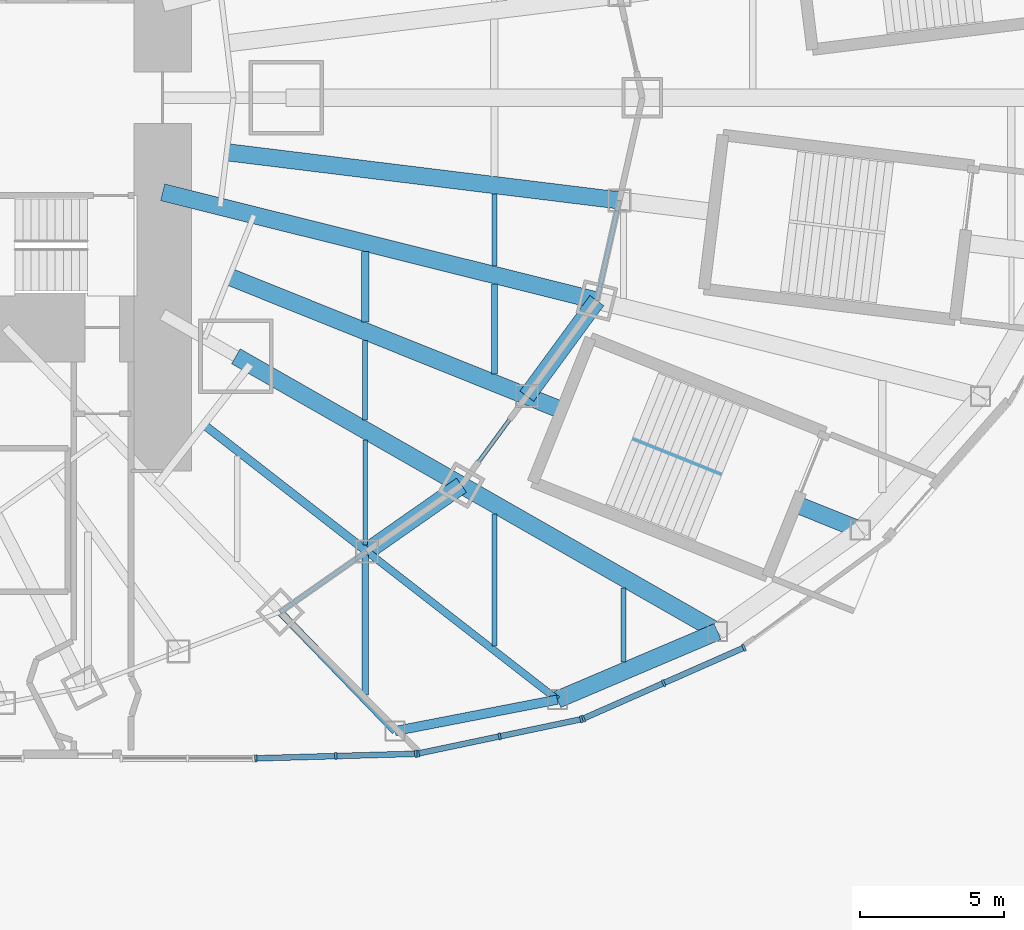
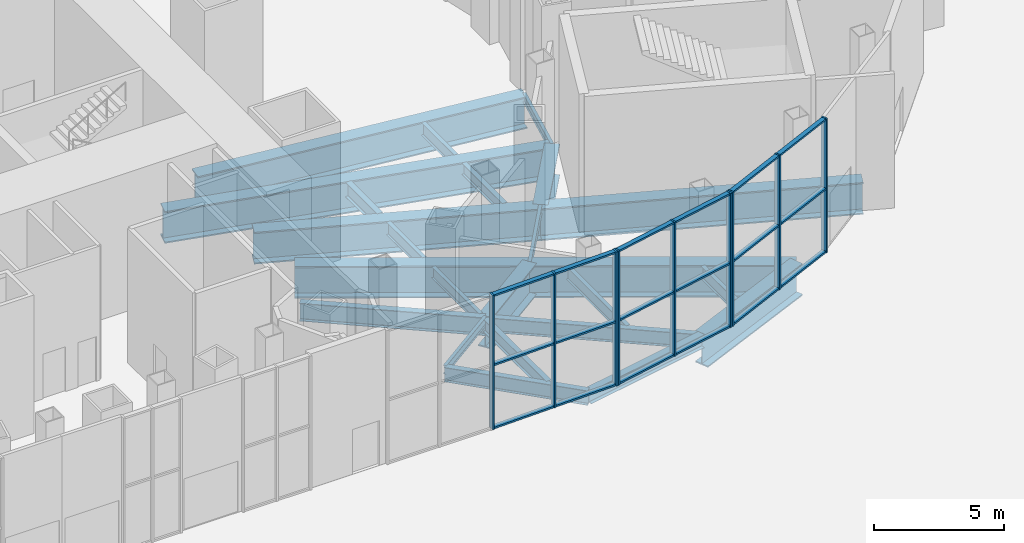
# One storey, part 8 of 47: 27 members, 24 beams, 3 elements without a shape of their own.
"""IFC4 building model written with IfcOpenShell, lengths in metres."""

from ifc_helpers import new_model, si_unit, direction, frame, origin, origin_2d, place, context, subcontext, project, spatial, rectangle, i_section, extrude, material, material_profile, profile_set, type_object, element, aggregate, save


model = new_model("IFC4")

# Units and contexts
model_context = context("Model", 3, precision=1e-05, world=origin(), true_north=direction((0.0, 1.0)))
body_context = subcontext(model_context, "Body", "Model", "MODEL_VIEW")
ifc_project = project(units=[si_unit("LENGTHUNIT", "METRE"), si_unit("AREAUNIT", "SQUARE_METRE"), si_unit("VOLUMEUNIT", "CUBIC_METRE"), si_unit("PLANEANGLEUNIT", "RADIAN"), si_unit("MASSUNIT", "GRAM", prefix="KILO")], contexts=[model_context])

# Site, building, storey
site_placement = place(None, origin())
site = spatial("IfcSite", under=ifc_project, at=site_placement, CompositionType="ELEMENT")
building_placement = place(site_placement, origin())
building = spatial("IfcBuilding", under=site, at=building_placement, Name="Lantaw Convention Tower", CompositionType="ELEMENT")
storey_placement = place(building_placement, origin())
storey = spatial("IfcBuildingStorey", under=building, at=storey_placement, Name="L00", CompositionType="ELEMENT", Elevation=0.0)

# Beams
ifc_material_1 = material(Name="Steel ASTM A572 Grade 50", Category="steel")
ifc_material_profile_1 = material_profile(ifc_material_1, i_section(OverallWidth=0.60009765625, OverallDepth=1.5, WebThickness=0.02490234375, FlangeThickness=0.06005859375, at=origin_2d()), Name="PG1500X600X25X60")
ifc_profile_set_1 = profile_set([ifc_material_profile_1], Name="Steel ASTM A572 Grade 50")
beam_type_1 = type_object("IfcBeamType", Name="Beam E PG1500X600X25X60", PredefinedType="SPANDREL", material=ifc_profile_set_1)
beam_1_placement = place(storey_placement, frame((20.308837890625, -15.794189453125, -1.199951171875), z_axis=(0.81942291701, 0.57318939547, 0.0), x_axis=(-0.57318939547, 0.81942291701, 0.0)))
element("IfcBeam", 1, at=beam_1_placement, inside=storey, type_object=beam_type_1, Name="Edge beam 22", PredefinedType="SPANDREL", context=body_context, shape_type="SweptSolid", body=[
    extrude(i_section(OverallWidth=0.60009765625, OverallDepth=1.5, WebThickness=0.02490234375, FlangeThickness=0.06005859375, at=origin_2d()), origin(), (0.0, 0.0, 1.0), 4.0224609375),
])
beam_2_placement = place(storey_placement, frame((25.8779296875, -10.388427734375, -1.199951171875), z_axis=(0.591255937291, 0.806483984105, 0.0), x_axis=(-0.806483984105, 0.591255937291, 0.0)))
element("IfcBeam", 2, at=beam_2_placement, inside=storey, type_object=beam_type_1, Name="Edge beam 23", PredefinedType="SPANDREL", context=body_context, shape_type="SweptSolid", body=[
    extrude(i_section(OverallWidth=0.60009765625, OverallDepth=1.5, WebThickness=0.02490234375, FlangeThickness=0.06005859375, at=origin_2d()), origin(), (0.0, 0.0, 1.0), 4.126708984375),
])
beam_3_placement = place(storey_placement, frame((26.94287109375, -20.95361328125, -1.199951171875), z_axis=(0.920324392734, 0.391155994636, 0.0), x_axis=(-0.391155994636, 0.920324392734, 0.0)))
element("IfcBeam", 3, at=beam_3_placement, inside=storey, type_object=beam_type_1, Name="Podium edge beam B21", PredefinedType="SPANDREL", context=body_context, shape_type="SweptSolid", body=[
    extrude(i_section(OverallWidth=0.60009765625, OverallDepth=1.5, WebThickness=0.02490234375, FlangeThickness=0.06005859375, at=origin_2d()), origin(), (0.0, 0.0, 1.0), 6.060546875),
])
ifc_material_2 = material(Name="Steel ASTM A992", Category="steel")
ifc_material_profile_2 = material_profile(ifc_material_2, i_section(OverallWidth=0.140380859375, OverallDepth=0.40380859375, WebThickness=0.007080078125, FlangeThickness=0.01123046875, FilletRadius=0.01025390625, at=origin_2d()), Name="W16X31")
ifc_profile_set_2 = profile_set([ifc_material_profile_2], Name="Steel ASTM A992")
beam_type_2 = type_object("IfcBeamType", Name="Beam E W16X31", PredefinedType="SPANDREL", material=ifc_profile_set_2)
beam_4_placement = place(storey_placement, frame((17.290771484375, -17.9052734375, -0.65185546875), z_axis=(0.819431174801, 0.573177590075, 0.0), x_axis=(-0.573177590075, 0.819431174801, 0.0)))
element("IfcBeam", 4, at=beam_4_placement, inside=storey, type_object=beam_type_2, Name="Edge beam 22", PredefinedType="SPANDREL", context=body_context, shape_type="SweptSolid", body=[
    extrude(i_section(OverallWidth=0.140380859375, OverallDepth=0.40380859375, WebThickness=0.007080078125, FlangeThickness=0.01123046875, FilletRadius=0.01025390625, at=origin_2d()), origin(), (0.0, 0.0, 1.0), 3.68310546875),
])
beam_5_placement = place(storey_placement, frame((23.60498046875, -13.488525390625, -0.65185546875), z_axis=(0.591286566758, 0.806461527893, 0.0), x_axis=(-0.806461527893, 0.591286566758, 0.0)))
element("IfcBeam", 5, at=beam_5_placement, inside=storey, type_object=beam_type_2, Name="Edge beam 23", PredefinedType="SPANDREL", context=body_context, shape_type="SweptSolid", body=[
    extrude(i_section(OverallWidth=0.140380859375, OverallDepth=0.40380859375, WebThickness=0.007080078125, FlangeThickness=0.01123046875, FilletRadius=0.01025390625, at=origin_2d()), origin(), (0.0, 0.0, 1.0), 3.843994140625),
])
beam_6_placement = place(storey_placement, frame((28.31787109375, -7.060302734375, -0.65185546875), z_axis=(0.218673326171, 0.97579812278, 0.0), x_axis=(-0.97579812278, 0.218673326171, 0.0)))
element("IfcBeam", 6, at=beam_6_placement, inside=storey, type_object=beam_type_2, Name="Edge beam 24", PredefinedType="SPANDREL", context=body_context, shape_type="SweptSolid", body=[
    extrude(i_section(OverallWidth=0.140380859375, OverallDepth=0.40380859375, WebThickness=0.007080078125, FlangeThickness=0.01123046875, FilletRadius=0.01025390625, at=origin_2d()), origin(), (0.0, 0.0, 1.0), 3.57373046875),
])
ifc_material_profile_3 = material_profile(ifc_material_2, i_section(OverallWidth=0.3251953125, OverallDepth=0.612060546875, WebThickness=0.0126953125, FlangeThickness=0.01904296875, FilletRadius=0.0126953125, at=origin_2d()), Name="W24X104")
ifc_profile_set_3 = profile_set([ifc_material_profile_3], Name="Steel ASTM A992")
beam_type_3 = type_object("IfcBeamType", Name="Beam E W24X104", PredefinedType="SPANDREL", material=ifc_profile_set_3)
beam_7_placement = place(storey_placement, frame((21.290771484375, -22.04736328125, -0.756103515625), z_axis=(0.981786485539, 0.18998762279, 0.0), x_axis=(-0.18998762279, 0.981786485539, 0.0)))
element("IfcBeam", 7, at=beam_7_placement, inside=storey, type_object=beam_type_3, Name="Podium edge beam R21", PredefinedType="SPANDREL", context=body_context, shape_type="SweptSolid", body=[
    extrude(i_section(OverallWidth=0.3251953125, OverallDepth=0.612060546875, WebThickness=0.0126953125, FlangeThickness=0.01904296875, FilletRadius=0.0126953125, at=origin_2d()), origin(), (0.0, 0.0, 1.0), 5.7568359375),
])
ifc_material_profile_4 = material_profile(ifc_material_1, i_section(OverallWidth=0.60009765625, OverallDepth=1.5, WebThickness=0.02490234375, FlangeThickness=0.06005859375, at=origin_2d()), Name="PG1500X600X25X60")
ifc_profile_set_4 = profile_set([ifc_material_profile_4], Name="Steel ASTM A572 Grade 50")
beam_type_4 = type_object("IfcBeamType", Name="Beam G PG1500X600X25X60", PredefinedType="BEAM", material=ifc_profile_set_4)
beam_8_placement = place(storey_placement, frame((15.75, -9.0, -1.199951171875), z_axis=(0.868244802791, -0.496136032179, 0.0), x_axis=(0.496136032179, 0.868244802791, 0.0)))
element("IfcBeam", 8, at=beam_8_placement, inside=storey, type_object=beam_type_4, Name="Floor girder on ray 23", PredefinedType="BEAM", context=body_context, shape_type="SweptSolid", body=[
    extrude(i_section(OverallWidth=0.60009765625, OverallDepth=1.5, WebThickness=0.02490234375, FlangeThickness=0.06005859375, at=origin_2d()), origin(), (0.0, 0.0, 1.0), 9.046875),
])
beam_9_placement = place(storey_placement, frame((15.52001953125, -6.230224609375, -1.199951171875), z_axis=(0.928011337871, -0.37255195179, 0.0), x_axis=(0.37255195179, 0.928011337871, 0.0)))
element("IfcBeam", 9, at=beam_9_placement, inside=storey, type_object=beam_type_4, Name="Floor girder on bisector 23", PredefinedType="BEAM", context=body_context, shape_type="SweptSolid", body=[
    extrude(i_section(OverallWidth=0.60009765625, OverallDepth=1.5, WebThickness=0.02490234375, FlangeThickness=0.06005859375, at=origin_2d()), origin(), (0.0, 0.0, 1.0), 11.161376953125),
])
beam_10_placement = place(storey_placement, frame((13.199951171875, -3.291015625, -1.199951171875), z_axis=(0.970296233567, -0.241919860957, 0.0), x_axis=(0.241919860957, 0.970296233567, 0.0)))
element("IfcBeam", 10, at=beam_10_placement, inside=storey, type_object=beam_type_4, Name="Floor girder on ray 24", PredefinedType="BEAM", context=body_context, shape_type="SweptSolid", body=[
    extrude(i_section(OverallWidth=0.60009765625, OverallDepth=1.5, WebThickness=0.02490234375, FlangeThickness=0.06005859375, at=origin_2d()), origin(), (0.0, 0.0, 1.0), 15.580810546875),
])
beam_11_placement = place(storey_placement, frame((15.433349609375, -1.89501953125, -1.199951171875), z_axis=(0.99254612715, -0.121869542874, 0.0), x_axis=(0.121869542874, 0.99254612715, 0.0)))
element("IfcBeam", 11, at=beam_11_placement, inside=storey, type_object=beam_type_4, Name="Floor girder on bisector 24", PredefinedType="BEAM", context=body_context, shape_type="SweptSolid", body=[
    extrude(i_section(OverallWidth=0.60009765625, OverallDepth=1.5, WebThickness=0.02490234375, FlangeThickness=0.06005859375, at=origin_2d()), origin(), (0.0, 0.0, 1.0), 13.7685546875),
])
ifc_material_profile_5 = material_profile(ifc_material_2, i_section(OverallWidth=0.2919921875, OverallDepth=0.845703125, WebThickness=0.015380859375, FlangeThickness=0.0244140625, FilletRadius=0.01513671875, at=origin_2d()), Name="W33X141")
ifc_profile_set_5 = profile_set([ifc_material_profile_5], Name="Steel ASTM A992")
beam_type_5 = type_object("IfcBeamType", Name="Beam G W33X141", PredefinedType="BEAM", material=ifc_profile_set_5)
beam_12_placement = place(storey_placement, frame((14.628173828125, -11.37646484375, -0.872802734375), z_axis=(0.789390578332, -0.613891289106, 0.0), x_axis=(0.613891289106, 0.789390578332, 0.0)))
element("IfcBeam", 12, at=beam_12_placement, inside=storey, type_object=beam_type_5, Name="Floor girder on bisector 22", PredefinedType="BEAM", context=body_context, shape_type="SweptSolid", body=[
    extrude(i_section(OverallWidth=0.2919921875, OverallDepth=0.845703125, WebThickness=0.015380859375, FlangeThickness=0.0244140625, FilletRadius=0.01513671875, at=origin_2d()), origin(), (0.0, 0.0, 1.0), 7.1962890625),
])
ifc_material_profile_6 = material_profile(ifc_material_2, i_section(OverallWidth=0.1650390625, OverallDepth=0.52587890625, WebThickness=0.0087890625, FlangeThickness=0.011474609375, FilletRadius=0.0126953125, at=origin_2d()), Name="W21X44")
ifc_profile_set_6 = profile_set([ifc_material_profile_6], Name="Steel ASTM A992")
beam_type_6 = type_object("IfcBeamType", Name="Beam J W21X44", PredefinedType="JOIST", material=ifc_profile_set_6)
beam_13_placement = place(storey_placement, frame((20.25, -15.5634765625, -0.712890625), z_axis=(0.0, 1.0, 0.0), x_axis=(-1.0, 0.0, 0.0)))
element("IfcBeam", 13, at=beam_13_placement, inside=storey, type_object=beam_type_6, Name="Floor joist", PredefinedType="JOIST", context=body_context, shape_type="SweptSolid", body=[
    extrude(i_section(OverallWidth=0.1650390625, OverallDepth=0.52587890625, WebThickness=0.0087890625, FlangeThickness=0.011474609375, FilletRadius=0.0126953125, at=origin_2d()), origin(), (0.0, 0.0, 1.0), 3.646484375),
])
ifc_material_profile_7 = material_profile(ifc_material_2, i_section(OverallWidth=0.2099609375, OverallDepth=0.535888671875, WebThickness=0.010986328125, FlangeThickness=0.017333984375, FilletRadius=0.012939453125, at=origin_2d()), Name="W21X68")
ifc_profile_set_7 = profile_set([ifc_material_profile_7], Name="Steel ASTM A992")
beam_type_7 = type_object("IfcBeamType", Name="Beam J W21X68", PredefinedType="JOIST", material=ifc_profile_set_7)
beam_14_placement = place(storey_placement, frame((24.75, -9.6123046875, -0.718017578125), z_axis=(0.0, 1.0, 0.0), x_axis=(-1.0, 0.0, 0.0)))
element("IfcBeam", 14, at=beam_14_placement, inside=storey, type_object=beam_type_7, Name="Floor joist", PredefinedType="JOIST", context=body_context, shape_type="SweptSolid", body=[
    extrude(i_section(OverallWidth=0.2099609375, OverallDepth=0.535888671875, WebThickness=0.010986328125, FlangeThickness=0.017333984375, FilletRadius=0.012939453125, at=origin_2d()), origin(), (0.0, 0.0, 1.0), 3.13232421875),
])
ifc_material_profile_8 = material_profile(ifc_material_2, i_section(OverallWidth=0.177978515625, OverallDepth=0.599365234375, WebThickness=0.010009765625, FlangeThickness=0.012939453125, FilletRadius=0.012939453125, at=origin_2d()), Name="W24X55")
ifc_profile_set_8 = profile_set([ifc_material_profile_8], Name="Steel ASTM A992")
beam_type_8 = type_object("IfcBeamType", Name="Beam J W24X55", PredefinedType="JOIST", material=ifc_profile_set_8)
beam_15_placement = place(storey_placement, frame((20.25, -11.225830078125, -0.749755859375), z_axis=(0.0, 1.0, 0.0), x_axis=(-1.0, 0.0, 0.0)))
element("IfcBeam", 15, at=beam_15_placement, inside=storey, type_object=beam_type_8, Name="Floor joist", PredefinedType="JOIST", context=body_context, shape_type="SweptSolid", body=[
    extrude(i_section(OverallWidth=0.177978515625, OverallDepth=0.599365234375, WebThickness=0.010009765625, FlangeThickness=0.012939453125, FilletRadius=0.012939453125, at=origin_2d()), origin(), (0.0, 0.0, 1.0), 2.7734375),
])
beam_16_placement = place(storey_placement, frame((24.75, -19.08740234375, -0.749755859375), z_axis=(0.0, 1.0, 0.0), x_axis=(-1.0, 0.0, 0.0)))
element("IfcBeam", 16, at=beam_16_placement, inside=storey, type_object=beam_type_8, Name="Floor joist", PredefinedType="JOIST", context=body_context, shape_type="SweptSolid", body=[
    extrude(i_section(OverallWidth=0.177978515625, OverallDepth=0.599365234375, WebThickness=0.010009765625, FlangeThickness=0.012939453125, FilletRadius=0.012939453125, at=origin_2d()), origin(), (0.0, 0.0, 1.0), 4.59912109375),
])
beam_17_placement = place(storey_placement, frame((24.75, -5.861572265625, -0.749755859375), z_axis=(0.0, 1.0, 0.0), x_axis=(-1.0, 0.0, 0.0)))
element("IfcBeam", 17, at=beam_17_placement, inside=storey, type_object=beam_type_8, Name="Floor joist", PredefinedType="JOIST", context=body_context, shape_type="SweptSolid", body=[
    extrude(i_section(OverallWidth=0.177978515625, OverallDepth=0.599365234375, WebThickness=0.010009765625, FlangeThickness=0.012939453125, FilletRadius=0.012939453125, at=origin_2d()), origin(), (0.0, 0.0, 1.0), 2.5205078125),
])
beam_18_placement = place(storey_placement, frame((29.25, -19.647216796875, -0.749755859375), z_axis=(0.0, 1.0, 0.0), x_axis=(-1.0, 0.0, 0.0)))
element("IfcBeam", 18, at=beam_18_placement, inside=storey, type_object=beam_type_8, Name="Floor joist", PredefinedType="JOIST", context=body_context, shape_type="SweptSolid", body=[
    extrude(i_section(OverallWidth=0.177978515625, OverallDepth=0.599365234375, WebThickness=0.010009765625, FlangeThickness=0.012939453125, FilletRadius=0.012939453125, at=origin_2d()), origin(), (0.0, 0.0, 1.0), 2.58740234375),
])
ifc_material_profile_9 = material_profile(ifc_material_2, i_section(OverallWidth=0.22900390625, OverallDepth=0.612060546875, WebThickness=0.011962890625, FlangeThickness=0.01953125, FilletRadius=0.0126953125, at=origin_2d()), Name="W24X84")
ifc_profile_set_9 = profile_set([ifc_material_profile_9], Name="Steel ASTM A992")
beam_type_9 = type_object("IfcBeamType", Name="Beam J W24X84", PredefinedType="JOIST", material=ifc_profile_set_9)
beam_19_placement = place(storey_placement, frame((20.25, -20.78662109375, -0.756103515625), z_axis=(0.0, 1.0, 0.0), x_axis=(-1.0, 0.0, 0.0)))
element("IfcBeam", 19, at=beam_19_placement, inside=storey, type_object=beam_type_9, Name="Floor joist", PredefinedType="JOIST", context=body_context, shape_type="SweptSolid", body=[
    extrude(i_section(OverallWidth=0.22900390625, OverallDepth=0.612060546875, WebThickness=0.011962890625, FlangeThickness=0.01953125, FilletRadius=0.0126953125, at=origin_2d()), origin(), (0.0, 0.0, 1.0), 4.86572265625),
])
ifc_material_profile_10 = material_profile(ifc_material_2, i_section(OverallWidth=0.25390625, OverallDepth=0.683349609375, WebThickness=0.012451171875, FlangeThickness=0.01904296875, FilletRadius=0.01513671875, at=origin_2d()), Name="W27X94")
ifc_profile_set_10 = profile_set([ifc_material_profile_10], Name="Steel ASTM A992")
beam_type_10 = type_object("IfcBeamType", Name="Beam J W27X94", PredefinedType="JOIST", material=ifc_profile_set_10)
beam_20_placement = place(storey_placement, frame((20.25, -7.805908203125, -0.791748046875), z_axis=(0.0, 1.0, 0.0), x_axis=(-1.0, 0.0, 0.0)))
element("IfcBeam", 20, at=beam_20_placement, inside=storey, type_object=beam_type_10, Name="Floor joist", PredefinedType="JOIST", context=body_context, shape_type="SweptSolid", body=[
    extrude(i_section(OverallWidth=0.25390625, OverallDepth=0.683349609375, WebThickness=0.012451171875, FlangeThickness=0.01904296875, FilletRadius=0.01513671875, at=origin_2d()), origin(), (0.0, 0.0, 1.0), 2.44775390625),
])
ifc_material_profile_11 = material_profile(ifc_material_1, i_section(OverallWidth=0.60009765625, OverallDepth=1.5, WebThickness=0.02490234375, FlangeThickness=0.06005859375, at=origin_2d()), Name="PG1500X600X25X60")
ifc_profile_set_11 = profile_set([ifc_material_profile_11], Name="Steel ASTM A572 Grade 50")
beam_type_11 = type_object("IfcBeamType", Name="Beam PG PG1500X600X25X60", PredefinedType="BEAM", material=ifc_profile_set_11)
beam_21_placement = place(storey_placement, frame((23.60498046875, -13.488525390625, -1.199951171875), z_axis=(0.868247531483, -0.4961312569, 0.0), x_axis=(0.4961312569, 0.868247531483, 0.0)))
element("IfcBeam", 21, at=beam_21_placement, inside=storey, type_object=beam_type_11, Name="Podium girder PR23", PredefinedType="BEAM", context=body_context, shape_type="SweptSolid", body=[
    extrude(i_section(OverallWidth=0.60009765625, OverallDepth=1.5, WebThickness=0.02490234375, FlangeThickness=0.06005859375, at=origin_2d()), origin(), (0.0, 0.0, 1.0), 10.268310546875),
])
beam_22_placement = place(storey_placement, frame((25.8779296875, -10.388427734375, -1.199951171875), z_axis=(0.928015644767, -0.372541223313, 0.0), x_axis=(0.372541223313, 0.928015644767, 0.0)))
element("IfcBeam", 22, at=beam_22_placement, inside=storey, type_object=beam_type_11, Name="Podium girder PB23", PredefinedType="BEAM", context=body_context, shape_type="SweptSolid", body=[
    extrude(i_section(OverallWidth=0.60009765625, OverallDepth=1.5, WebThickness=0.02490234375, FlangeThickness=0.06005859375, at=origin_2d()), origin(), (0.0, 0.0, 1.0), 12.509033203125),
])
ifc_material_profile_12 = material_profile(ifc_material_2, i_section(OverallWidth=0.25390625, OverallDepth=0.683349609375, WebThickness=0.012451171875, FlangeThickness=0.01904296875, FilletRadius=0.01513671875, at=origin_2d()), Name="W27X94")
ifc_profile_set_12 = profile_set([ifc_material_profile_12], Name="Steel ASTM A992")
beam_type_12 = type_object("IfcBeamType", Name="Beam PG W27X94", PredefinedType="BEAM", material=ifc_profile_set_12)
beam_23_placement = place(storey_placement, frame((17.290771484375, -17.9052734375, -0.791748046875), z_axis=(0.694661096328, -0.719337167987, 0.0), x_axis=(0.719337167987, 0.694661096328, 0.0)))
element("IfcBeam", 23, at=beam_23_placement, inside=storey, type_object=beam_type_12, Name="Podium girder PR22", PredefinedType="BEAM", context=body_context, shape_type="SweptSolid", body=[
    extrude(i_section(OverallWidth=0.25390625, OverallDepth=0.683349609375, WebThickness=0.012451171875, FlangeThickness=0.01904296875, FilletRadius=0.01513671875, at=origin_2d()), origin(), (0.0, 0.0, 1.0), 5.75830078125),
])
beam_24_placement = place(storey_placement, frame((20.308837890625, -15.794189453125, -0.791748046875), z_axis=(0.789374116062, -0.613912457025, 0.0), x_axis=(0.613912457025, 0.789374116062, 0.0)))
element("IfcBeam", 24, at=beam_24_placement, inside=storey, type_object=beam_type_12, Name="Podium girder PB22", PredefinedType="BEAM", context=body_context, shape_type="SweptSolid", body=[
    extrude(i_section(OverallWidth=0.25390625, OverallDepth=0.683349609375, WebThickness=0.012451171875, FlangeThickness=0.01904296875, FilletRadius=0.01513671875, at=origin_2d()), origin(), (0.0, 0.0, 1.0), 8.404052734375),
])

# Curtain wall, members
ifc_material_3 = material(Name="Aluminium framed curtain wall", Category="aluminium")
curtain_wall_type = type_object("IfcCurtainWallType", Name="Podium storefront curtain wall, pale aluminium", PredefinedType="USERDEFINED", material=ifc_material_3)
curtain_wall_1_placement = place(storey_placement, origin())
curtain_wall_1 = element("IfcCurtainWall", 25, at=curtain_wall_1_placement, inside=storey, type_object=curtain_wall_type, Name="Podium storefront curtain wall, pale aluminium L00", ObjectType="STOREFRONT", PredefinedType="USERDEFINED")
ifc_material_4 = material(Name="Aluminium 6063-T6", Category="aluminium")
ifc_material_profile_13 = material_profile(ifc_material_4, rectangle(XDim=0.25, YDim=0.080078125, at=origin_2d()), Name="CW-P mullion 80x250")
ifc_profile_set_13 = profile_set([ifc_material_profile_13], Name="Aluminium 6063-T6")
member_type_1 = type_object("IfcMemberType", Name="CW-P mullion 80x250", PredefinedType="MULLION", material=ifc_profile_set_13)
member_1_placement = place(storey_placement, frame((16.44580078125, -22.998779296875, 0.0), z_axis=(0.0, 0.0, 1.0), x_axis=(-0.028552206976, 0.99959230263, 0.0)))
member_1 = element("IfcMember", 26, at=member_1_placement, type_object=member_type_1, Name="CW-P mullion 1", PredefinedType="MULLION", context=body_context, shape_type="SweptSolid", body=[
    extrude(rectangle(XDim=0.25, YDim=0.080078125, at=origin_2d()), origin(), (0.0, 0.0, 1.0), 6.300048828125),
])
member_2_placement = place(storey_placement, frame((19.23046875, -22.91943359375, 0.0), z_axis=(0.0, 0.0, 1.0), x_axis=(-0.028552206976, 0.99959230263, 0.0)))
member_2 = element("IfcMember", 27, at=member_2_placement, type_object=member_type_1, Name="CW-P mullion 2", PredefinedType="MULLION", context=body_context, shape_type="SweptSolid", body=[
    extrude(rectangle(XDim=0.25, YDim=0.080078125, at=origin_2d()), origin(), (0.0, 0.0, 1.0), 6.300048828125),
])
member_3_placement = place(storey_placement, frame((22.01513671875, -22.83984375, 0.0), z_axis=(0.0, 0.0, 1.0), x_axis=(-0.028552206976, 0.99959230263, 0.0)))
member_3 = element("IfcMember", 28, at=member_3_placement, type_object=member_type_1, Name="CW-P mullion 3", PredefinedType="MULLION", context=body_context, shape_type="SweptSolid", body=[
    extrude(rectangle(XDim=0.25, YDim=0.080078125, at=origin_2d()), origin(), (0.0, 0.0, 1.0), 6.300048828125),
])

curtain_wall_2_placement = place(storey_placement, origin())
curtain_wall_2 = element("IfcCurtainWall", 29, at=curtain_wall_2_placement, inside=storey, type_object=curtain_wall_type, Name="Podium storefront curtain wall, pale aluminium L00", ObjectType="STOREFRONT", PredefinedType="USERDEFINED")
member_4_placement = place(storey_placement, frame((22.09423828125, -22.830322265625, 0.0), z_axis=(0.0, 0.0, 1.0), x_axis=(-0.205651701693, 0.978625248801, 0.0)))
member_4 = element("IfcMember", 30, at=member_4_placement, type_object=member_type_1, Name="CW-P mullion 1", PredefinedType="MULLION", context=body_context, shape_type="SweptSolid", body=[
    extrude(rectangle(XDim=0.25, YDim=0.080078125, at=origin_2d()), origin(), (0.0, 0.0, 1.0), 6.300048828125),
])
member_5_placement = place(storey_placement, frame((24.93310546875, -22.23388671875, 0.0), z_axis=(0.0, 0.0, 1.0), x_axis=(-0.205651701693, 0.978625248801, 0.0)))
member_5 = element("IfcMember", 31, at=member_5_placement, type_object=member_type_1, Name="CW-P mullion 2", PredefinedType="MULLION", context=body_context, shape_type="SweptSolid", body=[
    extrude(rectangle(XDim=0.25, YDim=0.080078125, at=origin_2d()), origin(), (0.0, 0.0, 1.0), 6.300048828125),
])
member_6_placement = place(storey_placement, frame((27.772216796875, -21.63720703125, 0.0), z_axis=(0.0, 0.0, 1.0), x_axis=(-0.205651701693, 0.978625248801, 0.0)))
member_6 = element("IfcMember", 32, at=member_6_placement, type_object=member_type_1, Name="CW-P mullion 3", PredefinedType="MULLION", context=body_context, shape_type="SweptSolid", body=[
    extrude(rectangle(XDim=0.25, YDim=0.080078125, at=origin_2d()), origin(), (0.0, 0.0, 1.0), 6.300048828125),
])

curtain_wall_3_placement = place(storey_placement, origin())
curtain_wall_3 = element("IfcCurtainWall", 33, at=curtain_wall_3_placement, inside=storey, type_object=curtain_wall_type, Name="Podium storefront curtain wall, pale aluminium L00", ObjectType="STOREFRONT", PredefinedType="USERDEFINED")
member_7_placement = place(storey_placement, frame((27.847900390625, -21.61279296875, 0.0), z_axis=(0.0, 0.0, 1.0), x_axis=(-0.403803584024, 0.914845705859, 0.0)))
member_7 = element("IfcMember", 34, at=member_7_placement, type_object=member_type_1, Name="CW-P mullion 1", PredefinedType="MULLION", context=body_context, shape_type="SweptSolid", body=[
    extrude(rectangle(XDim=0.25, YDim=0.080078125, at=origin_2d()), origin(), (0.0, 0.0, 1.0), 6.300048828125),
])
member_8_placement = place(storey_placement, frame((30.643310546875, -20.37890625, 0.0), z_axis=(0.0, 0.0, 1.0), x_axis=(-0.403803584024, 0.914845705859, 0.0)))
member_8 = element("IfcMember", 35, at=member_8_placement, type_object=member_type_1, Name="CW-P mullion 2", PredefinedType="MULLION", context=body_context, shape_type="SweptSolid", body=[
    extrude(rectangle(XDim=0.25, YDim=0.080078125, at=origin_2d()), origin(), (0.0, 0.0, 1.0), 6.300048828125),
])
member_9_placement = place(storey_placement, frame((33.43896484375, -19.14501953125, 0.0), z_axis=(0.0, 0.0, 1.0), x_axis=(-0.403803584024, 0.914845705859, 0.0)))
member_9 = element("IfcMember", 36, at=member_9_placement, type_object=member_type_1, Name="CW-P mullion 3", PredefinedType="MULLION", context=body_context, shape_type="SweptSolid", body=[
    extrude(rectangle(XDim=0.25, YDim=0.080078125, at=origin_2d()), origin(), (0.0, 0.0, 1.0), 6.300048828125),
])

# Member
ifc_material_profile_14 = material_profile(ifc_material_4, rectangle(XDim=0.199951171875, YDim=0.080078125, at=origin_2d()), Name="CW-P transom 80x200")
ifc_profile_set_14 = profile_set([ifc_material_profile_14], Name="Aluminium 6063-T6")
member_type_2 = type_object("IfcMemberType", Name="CW-P transom 80x200", PredefinedType="USERDEFINED", material=ifc_profile_set_14)
member_10_placement = place(storey_placement, frame((16.485595703125, -22.997802734375, 0.0400390625), z_axis=(0.999590908137, 0.028600985457, 0.0), x_axis=(-0.028600985457, 0.999590908137, 0.0)))
member_10 = element("IfcMember", 37, at=member_10_placement, type_object=member_type_2, Name="CW-P transom 1.1", ObjectType="TRANSOM", PredefinedType="USERDEFINED", context=body_context, shape_type="SweptSolid", body=[
    extrude(rectangle(XDim=0.199951171875, YDim=0.080078125, at=origin_2d()), origin(), (0.0, 0.0, 1.0), 2.7060546875),
])

member_11_placement = place(storey_placement, frame((16.485595703125, -22.997802734375, 3.0), z_axis=(0.999590908137, 0.028600985457, 0.0), x_axis=(-0.028600985457, 0.999590908137, 0.0)))
member_11 = element("IfcMember", 38, at=member_11_placement, type_object=member_type_2, Name="CW-P transom 1.2", ObjectType="TRANSOM", PredefinedType="USERDEFINED", context=body_context, shape_type="SweptSolid", body=[
    extrude(rectangle(XDim=0.199951171875, YDim=0.080078125, at=origin_2d()), origin(), (0.0, 0.0, 1.0), 2.7060546875),
])

member_12_placement = place(storey_placement, frame((16.485595703125, -22.997802734375, 6.260009765625), z_axis=(0.999590908137, 0.028600985457, 0.0), x_axis=(-0.028600985457, 0.999590908137, 0.0)))
member_12 = element("IfcMember", 39, at=member_12_placement, type_object=member_type_2, Name="CW-P transom 1.3", ObjectType="TRANSOM", PredefinedType="USERDEFINED", context=body_context, shape_type="SweptSolid", body=[
    extrude(rectangle(XDim=0.199951171875, YDim=0.080078125, at=origin_2d()), origin(), (0.0, 0.0, 1.0), 2.7060546875),
])

member_13_placement = place(storey_placement, frame((19.270263671875, -22.918212890625, 0.0400390625), z_axis=(0.999590908137, 0.028600985457, 0.0), x_axis=(-0.028600985457, 0.999590908137, 0.0)))
member_13 = element("IfcMember", 40, at=member_13_placement, type_object=member_type_2, Name="CW-P transom 2.1", ObjectType="TRANSOM", PredefinedType="USERDEFINED", context=body_context, shape_type="SweptSolid", body=[
    extrude(rectangle(XDim=0.199951171875, YDim=0.080078125, at=origin_2d()), origin(), (0.0, 0.0, 1.0), 2.7060546875),
])

member_14_placement = place(storey_placement, frame((19.270263671875, -22.918212890625, 3.0), z_axis=(0.999590908137, 0.028600985457, 0.0), x_axis=(-0.028600985457, 0.999590908137, 0.0)))
member_14 = element("IfcMember", 41, at=member_14_placement, type_object=member_type_2, Name="CW-P transom 2.2", ObjectType="TRANSOM", PredefinedType="USERDEFINED", context=body_context, shape_type="SweptSolid", body=[
    extrude(rectangle(XDim=0.199951171875, YDim=0.080078125, at=origin_2d()), origin(), (0.0, 0.0, 1.0), 2.7060546875),
])

member_15_placement = place(storey_placement, frame((19.270263671875, -22.918212890625, 6.260009765625), z_axis=(0.999590908137, 0.028600985457, 0.0), x_axis=(-0.028600985457, 0.999590908137, 0.0)))
member_15 = element("IfcMember", 42, at=member_15_placement, type_object=member_type_2, Name="CW-P transom 2.3", ObjectType="TRANSOM", PredefinedType="USERDEFINED", context=body_context, shape_type="SweptSolid", body=[
    extrude(rectangle(XDim=0.199951171875, YDim=0.080078125, at=origin_2d()), origin(), (0.0, 0.0, 1.0), 2.7060546875),
])

aggregate(curtain_wall_1, [member_1, member_2, member_3, member_10, member_11, member_12, member_13, member_14, member_15])

member_16_placement = place(storey_placement, frame((22.13330078125, -22.822265625, 0.0400390625), z_axis=(0.97861309547, 0.205709526701, 0.0), x_axis=(-0.205709526701, 0.97861309547, 0.0)))
member_16 = element("IfcMember", 43, at=member_16_placement, type_object=member_type_2, Name="CW-P transom 1.1", ObjectType="TRANSOM", PredefinedType="USERDEFINED", context=body_context, shape_type="SweptSolid", body=[
    extrude(rectangle(XDim=0.199951171875, YDim=0.080078125, at=origin_2d()), origin(), (0.0, 0.0, 1.0), 2.821044921875),
])

member_17_placement = place(storey_placement, frame((22.13330078125, -22.822265625, 3.0), z_axis=(0.97861309547, 0.205709526701, 0.0), x_axis=(-0.205709526701, 0.97861309547, 0.0)))
member_17 = element("IfcMember", 44, at=member_17_placement, type_object=member_type_2, Name="CW-P transom 1.2", ObjectType="TRANSOM", PredefinedType="USERDEFINED", context=body_context, shape_type="SweptSolid", body=[
    extrude(rectangle(XDim=0.199951171875, YDim=0.080078125, at=origin_2d()), origin(), (0.0, 0.0, 1.0), 2.821044921875),
])

member_18_placement = place(storey_placement, frame((22.13330078125, -22.822265625, 6.260009765625), z_axis=(0.97861309547, 0.205709526701, 0.0), x_axis=(-0.205709526701, 0.97861309547, 0.0)))
member_18 = element("IfcMember", 45, at=member_18_placement, type_object=member_type_2, Name="CW-P transom 1.3", ObjectType="TRANSOM", PredefinedType="USERDEFINED", context=body_context, shape_type="SweptSolid", body=[
    extrude(rectangle(XDim=0.199951171875, YDim=0.080078125, at=origin_2d()), origin(), (0.0, 0.0, 1.0), 2.821044921875),
])

member_19_placement = place(storey_placement, frame((24.972412109375, -22.2255859375, 0.0400390625), z_axis=(0.978626854263, 0.205644061708, 0.0), x_axis=(-0.205644061708, 0.978626854263, 0.0)))
member_19 = element("IfcMember", 46, at=member_19_placement, type_object=member_type_2, Name="CW-P transom 2.1", ObjectType="TRANSOM", PredefinedType="USERDEFINED", context=body_context, shape_type="SweptSolid", body=[
    extrude(rectangle(XDim=0.199951171875, YDim=0.080078125, at=origin_2d()), origin(), (0.0, 0.0, 1.0), 2.82080078125),
])

member_20_placement = place(storey_placement, frame((24.972412109375, -22.2255859375, 3.0), z_axis=(0.978626854263, 0.205644061708, 0.0), x_axis=(-0.205644061708, 0.978626854263, 0.0)))
member_20 = element("IfcMember", 47, at=member_20_placement, type_object=member_type_2, Name="CW-P transom 2.2", ObjectType="TRANSOM", PredefinedType="USERDEFINED", context=body_context, shape_type="SweptSolid", body=[
    extrude(rectangle(XDim=0.199951171875, YDim=0.080078125, at=origin_2d()), origin(), (0.0, 0.0, 1.0), 2.82080078125),
])

member_21_placement = place(storey_placement, frame((24.972412109375, -22.2255859375, 6.260009765625), z_axis=(0.978626854263, 0.205644061708, 0.0), x_axis=(-0.205644061708, 0.978626854263, 0.0)))
member_21 = element("IfcMember", 48, at=member_21_placement, type_object=member_type_2, Name="CW-P transom 2.3", ObjectType="TRANSOM", PredefinedType="USERDEFINED", context=body_context, shape_type="SweptSolid", body=[
    extrude(rectangle(XDim=0.199951171875, YDim=0.080078125, at=origin_2d()), origin(), (0.0, 0.0, 1.0), 2.82080078125),
])

aggregate(curtain_wall_2, [member_4, member_5, member_6, member_16, member_17, member_18, member_19, member_20, member_21])

member_22_placement = place(storey_placement, frame((27.884521484375, -21.5966796875, 0.0400390625), z_axis=(0.914830444941, 0.403838156951, 0.0), x_axis=(-0.403838156951, 0.914830444941, 0.0)))
member_22 = element("IfcMember", 49, at=member_22_placement, type_object=member_type_2, Name="CW-P transom 1.1", ObjectType="TRANSOM", PredefinedType="USERDEFINED", context=body_context, shape_type="SweptSolid", body=[
    extrude(rectangle(XDim=0.199951171875, YDim=0.080078125, at=origin_2d()), origin(), (0.0, 0.0, 1.0), 2.9755859375),
])

member_23_placement = place(storey_placement, frame((27.884521484375, -21.5966796875, 3.0), z_axis=(0.914830444941, 0.403838156951, 0.0), x_axis=(-0.403838156951, 0.914830444941, 0.0)))
member_23 = element("IfcMember", 50, at=member_23_placement, type_object=member_type_2, Name="CW-P transom 1.2", ObjectType="TRANSOM", PredefinedType="USERDEFINED", context=body_context, shape_type="SweptSolid", body=[
    extrude(rectangle(XDim=0.199951171875, YDim=0.080078125, at=origin_2d()), origin(), (0.0, 0.0, 1.0), 2.9755859375),
])

member_24_placement = place(storey_placement, frame((27.884521484375, -21.5966796875, 6.260009765625), z_axis=(0.914830444941, 0.403838156951, 0.0), x_axis=(-0.403838156951, 0.914830444941, 0.0)))
member_24 = element("IfcMember", 51, at=member_24_placement, type_object=member_type_2, Name="CW-P transom 1.3", ObjectType="TRANSOM", PredefinedType="USERDEFINED", context=body_context, shape_type="SweptSolid", body=[
    extrude(rectangle(XDim=0.199951171875, YDim=0.080078125, at=origin_2d()), origin(), (0.0, 0.0, 1.0), 2.9755859375),
])

member_25_placement = place(storey_placement, frame((30.679931640625, -20.36279296875, 0.0400390625), z_axis=(0.914843824184, 0.403807847066, 0.0), x_axis=(-0.403807847066, 0.914843824184, 0.0)))
member_25 = element("IfcMember", 52, at=member_25_placement, type_object=member_type_2, Name="CW-P transom 2.1", ObjectType="TRANSOM", PredefinedType="USERDEFINED", context=body_context, shape_type="SweptSolid", body=[
    extrude(rectangle(XDim=0.199951171875, YDim=0.080078125, at=origin_2d()), origin(), (0.0, 0.0, 1.0), 2.975830078125),
])

member_26_placement = place(storey_placement, frame((30.679931640625, -20.36279296875, 3.0), z_axis=(0.914843824184, 0.403807847066, 0.0), x_axis=(-0.403807847066, 0.914843824184, 0.0)))
member_26 = element("IfcMember", 53, at=member_26_placement, type_object=member_type_2, Name="CW-P transom 2.2", ObjectType="TRANSOM", PredefinedType="USERDEFINED", context=body_context, shape_type="SweptSolid", body=[
    extrude(rectangle(XDim=0.199951171875, YDim=0.080078125, at=origin_2d()), origin(), (0.0, 0.0, 1.0), 2.975830078125),
])

member_27_placement = place(storey_placement, frame((30.679931640625, -20.36279296875, 6.260009765625), z_axis=(0.914843824184, 0.403807847066, 0.0), x_axis=(-0.403807847066, 0.914843824184, 0.0)))
member_27 = element("IfcMember", 54, at=member_27_placement, type_object=member_type_2, Name="CW-P transom 2.3", ObjectType="TRANSOM", PredefinedType="USERDEFINED", context=body_context, shape_type="SweptSolid", body=[
    extrude(rectangle(XDim=0.199951171875, YDim=0.080078125, at=origin_2d()), origin(), (0.0, 0.0, 1.0), 2.975830078125),
])

aggregate(curtain_wall_3, [member_7, member_8, member_9, member_22, member_23, member_24, member_25, member_26, member_27])

save(model, "model.ifc")
